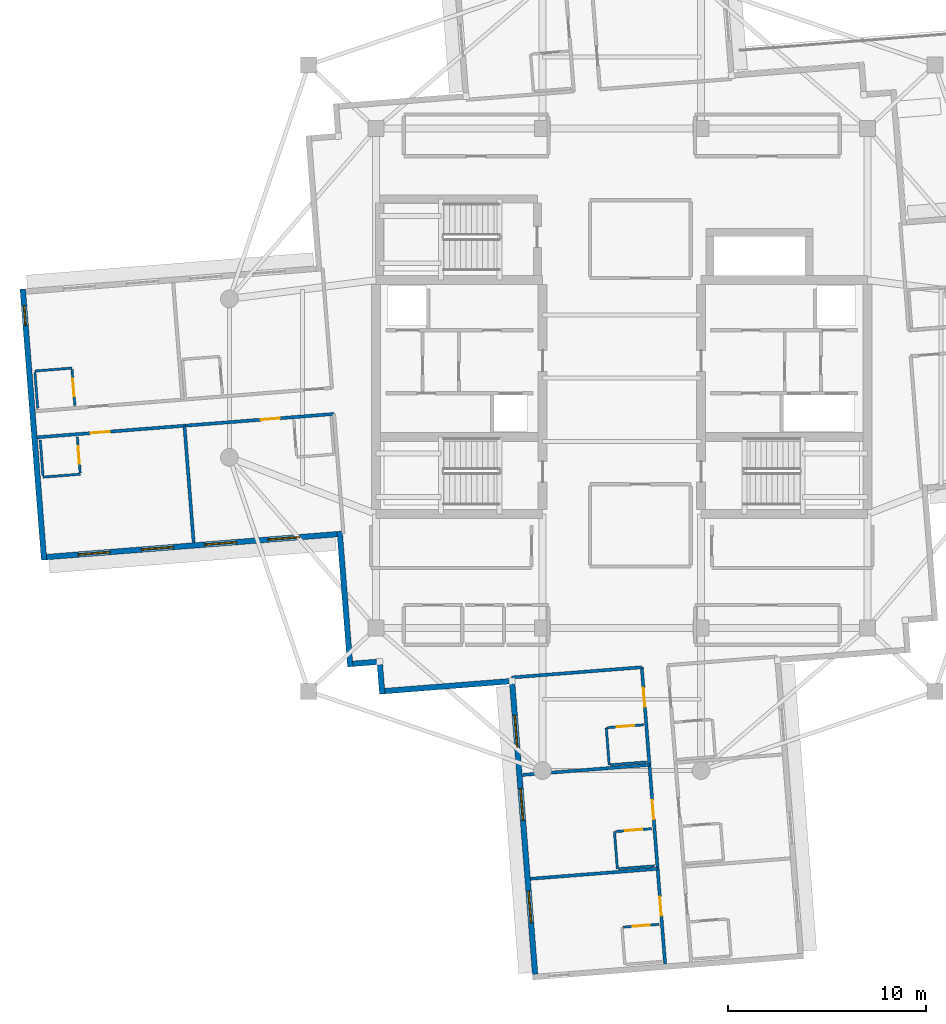
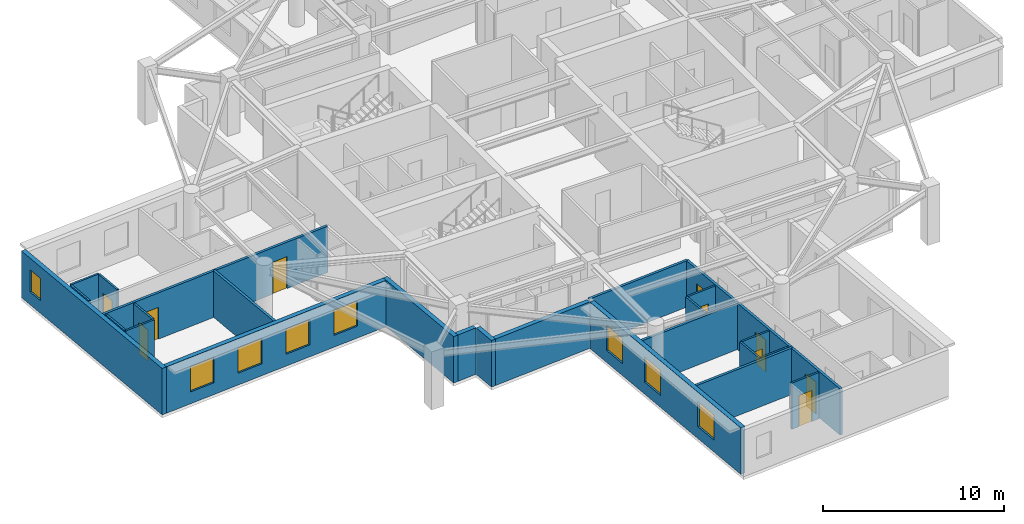
# One storey, part 3 of 13: 26 walls, 10 doors, 8 windows, 18 openings.
"""IFC4 building model written with IfcOpenShell, lengths in metres."""

from ifc_helpers import new_model, si_unit, direction, frame, frame_2d, origin, place, context, subcontext, project, spatial, rectangle, extrude, material, layer, layer_set, type_object, element, fill, save


model = new_model("IFC4")

# Units and contexts
model_context = context("Model", 3, precision=1e-05, world=origin(), true_north=direction((0.0, 1.0)))
body_context = subcontext(model_context, "Body", "Model", "MODEL_VIEW")
ifc_project = project(units=[si_unit("LENGTHUNIT", "METRE"), si_unit("AREAUNIT", "SQUARE_METRE"), si_unit("VOLUMEUNIT", "CUBIC_METRE"), si_unit("PLANEANGLEUNIT", "RADIAN"), si_unit("MASSUNIT", "GRAM", prefix="KILO")], contexts=[model_context])

# Site, building, storey
site_placement = place(None, origin())
site = spatial("IfcSite", under=ifc_project, at=site_placement, CompositionType="ELEMENT")
building_placement = place(site_placement, origin())
building = spatial("IfcBuilding", under=site, at=building_placement, Name="Qingluan Cross Belvedere", CompositionType="ELEMENT")
storey_placement = place(building_placement, frame((0.0, 0.0, 285.0)))
storey = spatial("IfcBuildingStorey", under=building, at=storey_placement, Name="L71", CompositionType="ELEMENT", Elevation=285.0)

# Wall, openings, doors
ifc_material_1 = material(Name="Gypsum plasterboard on steel stud acoustic partition", Category="steel")
ifc_layer_1 = layer(ifc_material_1, 0.159912109375, Name="CorridorPartition_160")
ifc_layer_set_1 = layer_set([ifc_layer_1], Name="Gypsum plasterboard on steel stud acoustic partition")
wall_type_1 = type_object("IfcWallType", Name="CorridorPartition_160", PredefinedType="PARTITIONING", material=ifc_layer_set_1)
wall_1_placement = place(storey_placement, frame((-14.523193359375, -1.804931640625, 0.0), z_axis=(0.0, 0.0, 1.0), x_axis=(-0.996916589072, -0.07846855697, 0.0)))
wall_1 = element("IfcWall", 1, at=wall_1_placement, inside=storey, type_object=wall_type_1, Name="Partition L71:W:c1", PredefinedType="PARTITIONING", context=body_context, shape_type="SweptSolid", body=[
    extrude(rectangle(XDim=15.01220703125, YDim=0.159912109375, at=frame_2d((7.506103515625, 0.0))), origin(), (0.0, 0.0, 1.0), 3.1201171875),
])
opening_1_placement = place(wall_1_placement, frame((2.737060546875, 0.0, 0.0)))
opening_1 = element("IfcOpeningElement", 2, at=opening_1_placement, cuts=wall_1, Name="Opening GD-10", PredefinedType="OPENING", context=body_context, shape_type="SweptSolid", body=[
    extrude(rectangle(XDim=0.9599609375, YDim=2.14990234375, at=frame_2d((0.47998046875, 1.074951171875))), frame((0.0, 0.08984375, 0.0), z_axis=(0.0, -1.0, 0.0), x_axis=(1.0, 0.0, 0.0)), (0.0, 0.0, 1.0), 0.179931640625),
])
opening_2_placement = place(wall_1_placement, frame((11.35302734375, 0.0, 0.0)))
opening_2 = element("IfcOpeningElement", 3, at=opening_2_placement, cuts=wall_1, Name="Opening GD-10", PredefinedType="OPENING", context=body_context, shape_type="SweptSolid", body=[
    extrude(rectangle(XDim=0.9599609375, YDim=2.14990234375, at=frame_2d((0.47998046875, 1.074951171875))), frame((0.0, 0.08984375, 0.0), z_axis=(0.0, -1.0, 0.0), x_axis=(1.0, 0.0, 0.0)), (0.0, 0.0, 1.0), 0.179931640625),
])
ifc_material_2 = material(Name="Timber oak fire-rated acoustic guestroom door", Category="wood")
door_type_1 = type_object("IfcDoorType", Name="GuestEntryDoor_FD60", OperationType="NOTDEFINED", PredefinedType="DOOR", material=ifc_material_2)
door_1_placement = place(opening_1_placement, origin())
door_1 = element("IfcDoor", 4, at=door_1_placement, inside=storey, type_object=door_type_1, Name="Guest entry fire door 7107", OperationType="SINGLE_SWING_RIGHT", OverallHeight=2.14990234375, OverallWidth=0.9599609375, PredefinedType="DOOR", context=body_context, shape_type="SweptSolid", body=[
    extrude(rectangle(XDim=0.9599609375, YDim=2.14990234375, at=frame_2d((0.47998046875, 1.074951171875))), frame((0.0, 0.02490234375, 0.0), z_axis=(0.0, -1.0, 0.0), x_axis=(1.0, 0.0, 0.0)), (0.0, 0.0, 1.0), 0.050048828125),
])
fill(opening_1, door_1)
door_2_placement = place(opening_2_placement, origin())
door_2 = element("IfcDoor", 5, at=door_2_placement, inside=storey, type_object=door_type_1, Name="Guest entry fire door 7108", OperationType="SINGLE_SWING_RIGHT", OverallHeight=2.14990234375, OverallWidth=0.9599609375, PredefinedType="DOOR", context=body_context, shape_type="SweptSolid", body=[
    extrude(rectangle(XDim=0.9599609375, YDim=2.14990234375, at=frame_2d((0.47998046875, 1.074951171875))), frame((0.0, 0.02490234375, 0.0), z_axis=(0.0, -1.0, 0.0), x_axis=(1.0, 0.0, 0.0)), (0.0, 0.0, 1.0), 0.050048828125),
])
fill(opening_2, door_2)

# Wall
wall_2_placement = place(storey_placement, frame((-22.06787109375, -2.398681640625, 0.0), z_axis=(0.0, 0.0, 1.0), x_axis=(0.078461644215, -0.99691713316, 0.0)))
element("IfcWall", 6, at=wall_2_placement, inside=storey, type_object=wall_type_1, Name="Partition L71:W:d1_0", PredefinedType="PARTITIONING", context=body_context, shape_type="SweptSolid", body=[
    extrude(rectangle(XDim=5.912109375, YDim=0.159912109375, at=frame_2d((2.9560546875, 0.0))), origin(), (0.0, 0.0, 1.0), 3.1201171875),
])

# Wall, openings, doors
wall_3_placement = place(storey_placement, frame((1.007568359375, -14.5859375, 0.0), z_axis=(0.0, 0.0, 1.0), x_axis=(0.078453666116, -0.996917761038, 0.0)))
wall_3 = element("IfcWall", 7, at=wall_3_placement, inside=storey, type_object=wall_type_1, Name="Partition L71:S:c1", PredefinedType="PARTITIONING", context=body_context, shape_type="SweptSolid", body=[
    extrude(rectangle(XDim=15.011962890625, YDim=0.159912109375, at=frame_2d((7.505859375, 0.0))), origin(), (0.0, 0.0, 1.0), 3.1201171875),
])
opening_3_placement = place(wall_3_placement, frame((1.0458984375, 0.0, 0.0)))
opening_3 = element("IfcOpeningElement", 8, at=opening_3_placement, cuts=wall_3, Name="Opening GD-10", PredefinedType="OPENING", context=body_context, shape_type="SweptSolid", body=[
    extrude(rectangle(XDim=0.9599609375, YDim=2.14990234375, at=frame_2d((0.47998046875, 1.074951171875))), frame((0.0, 0.08984375, 0.0), z_axis=(0.0, -1.0, 0.0), x_axis=(1.0, 0.0, 0.0)), (0.0, 0.0, 1.0), 0.179931640625),
])
opening_4_placement = place(wall_3_placement, frame((6.73388671875, 0.0, 0.0)))
opening_4 = element("IfcOpeningElement", 9, at=opening_4_placement, cuts=wall_3, Name="Opening GD-10", PredefinedType="OPENING", context=body_context, shape_type="SweptSolid", body=[
    extrude(rectangle(XDim=0.9599609375, YDim=2.14990234375, at=frame_2d((0.47998046875, 1.074951171875))), frame((0.0, 0.08984375, 0.0), z_axis=(0.0, -1.0, 0.0), x_axis=(1.0, 0.0, 0.0)), (0.0, 0.0, 1.0), 0.179931640625),
])
opening_5_placement = place(wall_3_placement, frame((11.615966796875, 0.0, 0.0)))
opening_5 = element("IfcOpeningElement", 10, at=opening_5_placement, cuts=wall_3, Name="Opening GD-10", PredefinedType="OPENING", context=body_context, shape_type="SweptSolid", body=[
    extrude(rectangle(XDim=0.9599609375, YDim=2.14990234375, at=frame_2d((0.47998046875, 1.074951171875))), frame((0.0, 0.08984375, 0.0), z_axis=(0.0, -1.0, 0.0), x_axis=(1.0, 0.0, 0.0)), (0.0, 0.0, 1.0), 0.179931640625),
])
door_3_placement = place(opening_3_placement, origin())
door_3 = element("IfcDoor", 11, at=door_3_placement, inside=storey, type_object=door_type_1, Name="Guest entry fire door 7116", OperationType="SINGLE_SWING_RIGHT", OverallHeight=2.14990234375, OverallWidth=0.9599609375, PredefinedType="DOOR", context=body_context, shape_type="SweptSolid", body=[
    extrude(rectangle(XDim=0.9599609375, YDim=2.14990234375, at=frame_2d((0.47998046875, 1.074951171875))), frame((0.0, 0.02490234375, 0.0), z_axis=(0.0, -1.0, 0.0), x_axis=(1.0, 0.0, 0.0)), (0.0, 0.0, 1.0), 0.050048828125),
])
fill(opening_3, door_3)
door_4_placement = place(opening_4_placement, origin())
door_4 = element("IfcDoor", 12, at=door_4_placement, inside=storey, type_object=door_type_1, Name="Guest entry fire door 7117", OperationType="SINGLE_SWING_RIGHT", OverallHeight=2.14990234375, OverallWidth=0.9599609375, PredefinedType="DOOR", context=body_context, shape_type="SweptSolid", body=[
    extrude(rectangle(XDim=0.9599609375, YDim=2.14990234375, at=frame_2d((0.47998046875, 1.074951171875))), frame((0.0, 0.02490234375, 0.0), z_axis=(0.0, -1.0, 0.0), x_axis=(1.0, 0.0, 0.0)), (0.0, 0.0, 1.0), 0.050048828125),
])
fill(opening_4, door_4)
door_5_placement = place(opening_5_placement, origin())
door_5 = element("IfcDoor", 13, at=door_5_placement, inside=storey, type_object=door_type_1, Name="Guest entry fire door 7118", OperationType="SINGLE_SWING_RIGHT", OverallHeight=2.14990234375, OverallWidth=0.9599609375, PredefinedType="DOOR", context=body_context, shape_type="SweptSolid", body=[
    extrude(rectangle(XDim=0.9599609375, YDim=2.14990234375, at=frame_2d((0.47998046875, 1.074951171875))), frame((0.0, 0.02490234375, 0.0), z_axis=(0.0, -1.0, 0.0), x_axis=(1.0, 0.0, 0.0)), (0.0, 0.0, 1.0), 0.050048828125),
])
fill(opening_5, door_5)

# Walls
wall_4_placement = place(storey_placement, frame((1.007568359375, -14.5859375, 0.0), z_axis=(0.0, 0.0, 1.0), x_axis=(-0.996916277751, -0.078472512094, 0.0)))
element("IfcWall", 14, at=wall_4_placement, inside=storey, type_object=wall_type_1, Name="Partition L71:S:s1", PredefinedType="PARTITIONING", context=body_context, shape_type="SweptSolid", body=[
    extrude(rectangle(XDim=6.580078125, YDim=0.159912109375, at=frame_2d((3.2900390625, 0.0))), origin(), (0.0, 0.0, 1.0), 3.1201171875),
])
wall_5_placement = place(storey_placement, frame((1.395263671875, -19.5126953125, 0.0), z_axis=(0.0, 0.0, 1.0), x_axis=(-0.996917397945, -0.078458279834, 0.0)))
element("IfcWall", 15, at=wall_5_placement, inside=storey, type_object=wall_type_1, Name="Partition L71:S:d1_0", PredefinedType="PARTITIONING", context=body_context, shape_type="SweptSolid", body=[
    extrude(rectangle(XDim=6.431884765625, YDim=0.159912109375, at=frame_2d((3.2158203125, 0.0))), origin(), (0.0, 0.0, 1.0), 3.1201171875),
])
wall_6_placement = place(storey_placement, frame((1.807861328125, -24.75439453125, 0.0), z_axis=(0.0, 0.0, 1.0), x_axis=(-0.996917631587, -0.078455311041, 0.0)))
element("IfcWall", 16, at=wall_6_placement, inside=storey, type_object=wall_type_1, Name="Partition L71:S:d1_1", PredefinedType="PARTITIONING", context=body_context, shape_type="SweptSolid", body=[
    extrude(rectangle(XDim=6.43212890625, YDim=0.159912109375, at=frame_2d((3.216064453125, 0.0))), origin(), (0.0, 0.0, 1.0), 3.1201171875),
])

# Wall, opening, door
ifc_material_3 = material(Name="Moisture-resistant gypsum board lining")
ifc_layer_2 = layer(ifc_material_3, 0.1201171875, Name="EnsuiteWetPartition_120")
ifc_layer_set_2 = layer_set([ifc_layer_2], Name="Moisture-resistant gypsum board lining")
wall_type_2 = type_object("IfcWallType", Name="EnsuiteWetPartition_120", PredefinedType="PARTITIONING", material=ifc_layer_set_2)
wall_7_placement = place(storey_placement, frame((-27.59765625, -1.369384765625, 0.0), z_axis=(0.0, 0.0, 1.0), x_axis=(-0.078481444107, 0.996915574626, 0.0)))
wall_7 = element("IfcWall", 17, at=wall_7_placement, inside=storey, type_object=wall_type_2, Name="Partition L71:W:bs0_1", PredefinedType="PARTITIONING", context=body_context, shape_type="SweptSolid", body=[
    extrude(rectangle(XDim=1.81982421875, YDim=0.1201171875, at=frame_2d((0.909912109375, 0.0))), origin(), (0.0, 0.0, 1.0), 3.1201171875),
])
opening_6_placement = place(wall_7_placement, frame((0.469970703125, 0.0, 0.0)))
opening_6 = element("IfcOpeningElement", 18, at=opening_6_placement, cuts=wall_7, Name="Opening BD-09", PredefinedType="OPENING", context=body_context, shape_type="SweptSolid", body=[
    extrude(rectangle(XDim=0.8798828125, YDim=2.10009765625, at=frame_2d((0.43994140625, 1.050048828125))), frame((0.0, 0.070068359375, 0.0), z_axis=(0.0, -1.0, 0.0), x_axis=(1.0, 0.0, 0.0)), (0.0, 0.0, 1.0), 0.14013671875),
])
ifc_material_4 = material(Name="Moisture-sealed timber en-suite door", Category="wood")
door_type_2 = type_object("IfcDoorType", Name="BathroomDoor_880", OperationType="NOTDEFINED", PredefinedType="DOOR", material=ifc_material_4)
door_6_placement = place(opening_6_placement, origin())
door_6 = element("IfcDoor", 19, at=door_6_placement, inside=storey, type_object=door_type_2, Name="Bathroom door 7106", OperationType="SINGLE_SWING_LEFT", OverallHeight=2.10009765625, OverallWidth=0.8798828125, PredefinedType="DOOR", context=body_context, shape_type="SweptSolid", body=[
    extrude(rectangle(XDim=0.8798828125, YDim=2.10009765625, at=frame_2d((0.43994140625, 1.050048828125))), frame((0.0, 0.02490234375, 0.0), z_axis=(0.0, -1.0, 0.0), x_axis=(1.0, 0.0, 0.0)), (0.0, 0.0, 1.0), 0.050048828125),
])
fill(opening_6, door_6)

# Walls
wall_8_placement = place(storey_placement, frame((-29.4716796875, -1.51708984375, 0.0), z_axis=(0.0, 0.0, 1.0), x_axis=(-0.0784709492, 0.996916400774, 0.0)))
element("IfcWall", 20, at=wall_8_placement, inside=storey, type_object=wall_type_2, Name="Partition L71:W:bw0_1", PredefinedType="PARTITIONING", context=body_context, shape_type="SweptSolid", body=[
    extrude(rectangle(XDim=1.820068359375, YDim=0.1201171875, at=frame_2d((0.91015625, 0.0))), origin(), (0.0, 0.0, 1.0), 3.1201171875),
])
wall_9_placement = place(storey_placement, frame((-27.74560546875, 0.509765625, 0.0), z_axis=(0.0, 0.0, 1.0), x_axis=(-0.99691849475, -0.078444342213, 0.0)))
element("IfcWall", 21, at=wall_9_placement, inside=storey, type_object=wall_type_2, Name="Partition L71:W:bn0_1", PredefinedType="PARTITIONING", context=body_context, shape_type="SweptSolid", body=[
    extrude(rectangle(XDim=1.8798828125, YDim=0.1201171875, at=frame_2d((0.93994140625, 0.0))), origin(), (0.0, 0.0, 1.0), 3.1201171875),
])

# Wall, opening, door
wall_10_placement = place(storey_placement, frame((-27.329345703125, -4.779052734375, 0.0), z_axis=(0.0, 0.0, 1.0), x_axis=(-0.0784709492, 0.996916400774, 0.0)))
wall_10 = element("IfcWall", 22, at=wall_10_placement, inside=storey, type_object=wall_type_2, Name="Partition L71:W:bs1_1", PredefinedType="PARTITIONING", context=body_context, shape_type="SweptSolid", body=[
    extrude(rectangle(XDim=1.820068359375, YDim=0.1201171875, at=frame_2d((0.91015625, 0.0))), origin(), (0.0, 0.0, 1.0), 3.1201171875),
])
opening_7_placement = place(wall_10_placement, frame((0.469970703125, 0.0, 0.0)))
opening_7 = element("IfcOpeningElement", 23, at=opening_7_placement, cuts=wall_10, Name="Opening BD-09", PredefinedType="OPENING", context=body_context, shape_type="SweptSolid", body=[
    extrude(rectangle(XDim=0.8798828125, YDim=2.10009765625, at=frame_2d((0.43994140625, 1.050048828125))), frame((0.0, 0.070068359375, 0.0), z_axis=(0.0, -1.0, 0.0), x_axis=(1.0, 0.0, 0.0)), (0.0, 0.0, 1.0), 0.14013671875),
])
door_7_placement = place(opening_7_placement, origin())
door_7 = element("IfcDoor", 24, at=door_7_placement, inside=storey, type_object=door_type_2, Name="Bathroom door 7108", OperationType="SINGLE_SWING_LEFT", OverallHeight=2.10009765625, OverallWidth=0.8798828125, PredefinedType="DOOR", context=body_context, shape_type="SweptSolid", body=[
    extrude(rectangle(XDim=0.8798828125, YDim=2.10009765625, at=frame_2d((0.43994140625, 1.050048828125))), frame((0.0, 0.02490234375, 0.0), z_axis=(0.0, -1.0, 0.0), x_axis=(1.0, 0.0, 0.0)), (0.0, 0.0, 1.0), 0.050048828125),
])
fill(opening_7, door_7)

# Walls
wall_11_placement = place(storey_placement, frame((-29.20361328125, -4.926513671875, 0.0), z_axis=(0.0, 0.0, 1.0), x_axis=(-0.078337634704, 0.996926885478, 0.0)))
element("IfcWall", 25, at=wall_11_placement, inside=storey, type_object=wall_type_2, Name="Partition L71:W:bw1_1", PredefinedType="PARTITIONING", context=body_context, shape_type="SweptSolid", body=[
    extrude(rectangle(XDim=1.820068359375, YDim=0.1201171875, at=frame_2d((0.91015625, 0.0))), origin(), (0.0, 0.0, 1.0), 3.1201171875),
])
wall_12_placement = place(storey_placement, frame((-27.32421875, -4.84375, 0.0), z_axis=(0.0, 0.0, 1.0), x_axis=(-0.996919293781, -0.07843418698, 0.0)))
element("IfcWall", 26, at=wall_12_placement, inside=storey, type_object=wall_type_2, Name="Partition L71:W:bc1_1", PredefinedType="PARTITIONING", context=body_context, shape_type="SweptSolid", body=[
    extrude(rectangle(XDim=1.880126953125, YDim=0.1201171875, at=frame_2d((0.93994140625, 0.0))), origin(), (0.0, 0.0, 1.0), 3.1201171875),
])

# Wall, opening, door
wall_13_placement = place(storey_placement, frame((-0.71875, -17.6328125, 0.0), z_axis=(0.0, 0.0, 1.0), x_axis=(0.996916400774, 0.0784709492, 0.0)))
wall_13 = element("IfcWall", 27, at=wall_13_placement, inside=storey, type_object=wall_type_2, Name="Partition L71:S:bs1_0", PredefinedType="PARTITIONING", context=body_context, shape_type="SweptSolid", body=[
    extrude(rectangle(XDim=1.820068359375, YDim=0.1201171875, at=frame_2d((0.91015625, 0.0))), origin(), (0.0, 0.0, 1.0), 3.1201171875),
])
opening_8_placement = place(wall_13_placement, frame((0.469970703125, 0.0, 0.0)))
opening_8 = element("IfcOpeningElement", 28, at=opening_8_placement, cuts=wall_13, Name="Opening BD-09", PredefinedType="OPENING", context=body_context, shape_type="SweptSolid", body=[
    extrude(rectangle(XDim=0.8798828125, YDim=2.10009765625, at=frame_2d((0.43994140625, 1.050048828125))), frame((0.0, 0.070068359375, 0.0), z_axis=(0.0, -1.0, 0.0), x_axis=(1.0, 0.0, 0.0)), (0.0, 0.0, 1.0), 0.14013671875),
])
door_8_placement = place(opening_8_placement, origin())
door_8 = element("IfcDoor", 29, at=door_8_placement, inside=storey, type_object=door_type_2, Name="Bathroom door 7116", OperationType="SINGLE_SWING_LEFT", OverallHeight=2.10009765625, OverallWidth=0.8798828125, PredefinedType="DOOR", context=body_context, shape_type="SweptSolid", body=[
    extrude(rectangle(XDim=0.8798828125, YDim=2.10009765625, at=frame_2d((0.43994140625, 1.050048828125))), frame((0.0, 0.02490234375, 0.0), z_axis=(0.0, -1.0, 0.0), x_axis=(1.0, 0.0, 0.0)), (0.0, 0.0, 1.0), 0.050048828125),
])
fill(opening_8, door_8)

# Walls
wall_14_placement = place(storey_placement, frame((-0.5712890625, -19.507080078125, 0.0), z_axis=(0.0, 0.0, 1.0), x_axis=(0.996916400774, 0.0784709492, 0.0)))
element("IfcWall", 30, at=wall_14_placement, inside=storey, type_object=wall_type_2, Name="Partition L71:S:bw1_0", PredefinedType="PARTITIONING", context=body_context, shape_type="SweptSolid", body=[
    extrude(rectangle(XDim=1.820068359375, YDim=0.1201171875, at=frame_2d((0.91015625, 0.0))), origin(), (0.0, 0.0, 1.0), 3.1201171875),
])
wall_15_placement = place(storey_placement, frame((-0.78369140625, -17.6376953125, 0.0), z_axis=(0.0, 0.0, 1.0), x_axis=(0.078553074946, -0.996909932951, 0.0)))
element("IfcWall", 31, at=wall_15_placement, inside=storey, type_object=wall_type_2, Name="Partition L71:S:bc1_0", PredefinedType="PARTITIONING", context=body_context, shape_type="SweptSolid", body=[
    extrude(rectangle(XDim=1.88037109375, YDim=0.1201171875, at=frame_2d((0.940185546875, 0.0))), origin(), (0.0, 0.0, 1.0), 3.1201171875),
])

# Wall, opening, door
wall_16_placement = place(storey_placement, frame((-0.30615234375, -22.87451171875, 0.0), z_axis=(0.0, 0.0, 1.0), x_axis=(0.996916400774, 0.0784709492, 0.0)))
wall_16 = element("IfcWall", 32, at=wall_16_placement, inside=storey, type_object=wall_type_2, Name="Partition L71:S:bs1_1", PredefinedType="PARTITIONING", context=body_context, shape_type="SweptSolid", body=[
    extrude(rectangle(XDim=1.820068359375, YDim=0.1201171875, at=frame_2d((0.91015625, 0.0))), origin(), (0.0, 0.0, 1.0), 3.1201171875),
])
opening_9_placement = place(wall_16_placement, frame((0.469970703125, 0.0, 0.0)))
opening_9 = element("IfcOpeningElement", 33, at=opening_9_placement, cuts=wall_16, Name="Opening BD-09", PredefinedType="OPENING", context=body_context, shape_type="SweptSolid", body=[
    extrude(rectangle(XDim=0.8798828125, YDim=2.10009765625, at=frame_2d((0.43994140625, 1.050048828125))), frame((0.0, 0.070068359375, 0.0), z_axis=(0.0, -1.0, 0.0), x_axis=(1.0, 0.0, 0.0)), (0.0, 0.0, 1.0), 0.14013671875),
])
door_9_placement = place(opening_9_placement, origin())
door_9 = element("IfcDoor", 34, at=door_9_placement, inside=storey, type_object=door_type_2, Name="Bathroom door 7117", OperationType="SINGLE_SWING_LEFT", OverallHeight=2.10009765625, OverallWidth=0.8798828125, PredefinedType="DOOR", context=body_context, shape_type="SweptSolid", body=[
    extrude(rectangle(XDim=0.8798828125, YDim=2.10009765625, at=frame_2d((0.43994140625, 1.050048828125))), frame((0.0, 0.02490234375, 0.0), z_axis=(0.0, -1.0, 0.0), x_axis=(1.0, 0.0, 0.0)), (0.0, 0.0, 1.0), 0.050048828125),
])
fill(opening_9, door_9)

# Walls
wall_17_placement = place(storey_placement, frame((-0.15869140625, -24.748779296875, 0.0), z_axis=(0.0, 0.0, 1.0), x_axis=(0.996916400774, 0.0784709492, 0.0)))
element("IfcWall", 35, at=wall_17_placement, inside=storey, type_object=wall_type_2, Name="Partition L71:S:bw1_1", PredefinedType="PARTITIONING", context=body_context, shape_type="SweptSolid", body=[
    extrude(rectangle(XDim=1.820068359375, YDim=0.1201171875, at=frame_2d((0.91015625, 0.0))), origin(), (0.0, 0.0, 1.0), 3.1201171875),
])
wall_18_placement = place(storey_placement, frame((-0.37109375, -22.879638671875, 0.0), z_axis=(0.0, 0.0, 1.0), x_axis=(0.078563244057, -0.996909131608, 0.0)))
element("IfcWall", 36, at=wall_18_placement, inside=storey, type_object=wall_type_2, Name="Partition L71:S:bc1_1", PredefinedType="PARTITIONING", context=body_context, shape_type="SweptSolid", body=[
    extrude(rectangle(XDim=1.880126953125, YDim=0.1201171875, at=frame_2d((0.93994140625, 0.0))), origin(), (0.0, 0.0, 1.0), 3.1201171875),
])

# Wall, opening, door
wall_19_placement = place(storey_placement, frame((0.073486328125, -27.69970703125, 0.0), z_axis=(0.0, 0.0, 1.0), x_axis=(0.996916400774, 0.0784709492, 0.0)))
wall_19 = element("IfcWall", 37, at=wall_19_placement, inside=storey, type_object=wall_type_2, Name="Partition L71:S:bs1_2", PredefinedType="PARTITIONING", context=body_context, shape_type="SweptSolid", body=[
    extrude(rectangle(XDim=1.820068359375, YDim=0.1201171875, at=frame_2d((0.91015625, 0.0))), origin(), (0.0, 0.0, 1.0), 3.1201171875),
])
opening_10_placement = place(wall_19_placement, frame((0.469970703125, 0.0, 0.0)))
opening_10 = element("IfcOpeningElement", 38, at=opening_10_placement, cuts=wall_19, Name="Opening BD-09", PredefinedType="OPENING", context=body_context, shape_type="SweptSolid", body=[
    extrude(rectangle(XDim=0.8798828125, YDim=2.10009765625, at=frame_2d((0.43994140625, 1.050048828125))), frame((0.0, 0.070068359375, 0.0), z_axis=(0.0, -1.0, 0.0), x_axis=(1.0, 0.0, 0.0)), (0.0, 0.0, 1.0), 0.14013671875),
])
door_10_placement = place(opening_10_placement, origin())
door_10 = element("IfcDoor", 39, at=door_10_placement, inside=storey, type_object=door_type_2, Name="Bathroom door 7118", OperationType="SINGLE_SWING_LEFT", OverallHeight=2.10009765625, OverallWidth=0.8798828125, PredefinedType="DOOR", context=body_context, shape_type="SweptSolid", body=[
    extrude(rectangle(XDim=0.8798828125, YDim=2.10009765625, at=frame_2d((0.43994140625, 1.050048828125))), frame((0.0, 0.02490234375, 0.0), z_axis=(0.0, -1.0, 0.0), x_axis=(1.0, 0.0, 0.0)), (0.0, 0.0, 1.0), 0.050048828125),
])
fill(opening_10, door_10)

# Wall, openings, windows
ifc_material_5 = material(Name="Precast concrete C45", Category="concrete")
ifc_layer_3 = layer(ifc_material_5, 0.280029296875, Name="PrecastFacadeWall_280")
ifc_layer_set_3 = layer_set([ifc_layer_3], Name="Precast concrete C45")
wall_type_3 = type_object("IfcWallType", Name="PrecastFacadeWall_280", PredefinedType="STANDARD", material=ifc_layer_set_3)
wall_20_placement = place(storey_placement, frame((-29.021484375, -9.02490234375, 0.0), z_axis=(0.0, 0.0, 1.0), x_axis=(0.996917526837, 0.078456642068, 0.0)))
wall_20 = element("IfcWall", 40, at=wall_20_placement, inside=storey, type_object=wall_type_3, Name="Facade wall L71-WB", PredefinedType="STANDARD", context=body_context, shape_type="SweptSolid", body=[
    extrude(rectangle(XDim=14.7001953125, YDim=0.280029296875, at=frame_2d((7.35009765625, 0.0))), origin(), (0.0, 0.0, 1.0), 3.1298828125),
])
opening_11_placement = place(wall_20_placement, frame((1.60009765625, 0.0, 0.800048828125)))
opening_11 = element("IfcOpeningElement", 41, at=opening_11_placement, cuts=wall_20, Name="Opening W-04", PredefinedType="OPENING", context=body_context, shape_type="SweptSolid", body=[
    extrude(rectangle(XDim=1.60009765625, YDim=1.699951171875, at=frame_2d((0.800048828125, 0.85009765625))), frame((0.0, 0.14990234375, 0.0), z_axis=(0.0, -1.0, 0.0), x_axis=(1.0, 0.0, 0.0)), (0.0, 0.0, 1.0), 0.300048828125),
])
opening_12_placement = place(wall_20_placement, frame((4.800048828125, 0.0, 0.800048828125)))
opening_12 = element("IfcOpeningElement", 42, at=opening_12_placement, cuts=wall_20, Name="Opening W-04", PredefinedType="OPENING", context=body_context, shape_type="SweptSolid", body=[
    extrude(rectangle(XDim=1.60009765625, YDim=1.699951171875, at=frame_2d((0.800048828125, 0.85009765625))), frame((0.0, 0.14990234375, 0.0), z_axis=(0.0, -1.0, 0.0), x_axis=(1.0, 0.0, 0.0)), (0.0, 0.0, 1.0), 0.300048828125),
])
opening_13_placement = place(wall_20_placement, frame((8.0, 0.0, 0.800048828125)))
opening_13 = element("IfcOpeningElement", 43, at=opening_13_placement, cuts=wall_20, Name="Opening W-04", PredefinedType="OPENING", context=body_context, shape_type="SweptSolid", body=[
    extrude(rectangle(XDim=1.60009765625, YDim=1.699951171875, at=frame_2d((0.800048828125, 0.85009765625))), frame((0.0, 0.14990234375, 0.0), z_axis=(0.0, -1.0, 0.0), x_axis=(1.0, 0.0, 0.0)), (0.0, 0.0, 1.0), 0.300048828125),
])
opening_14_placement = place(wall_20_placement, frame((11.199951171875, 0.0, 0.800048828125)))
opening_14 = element("IfcOpeningElement", 44, at=opening_14_placement, cuts=wall_20, Name="Opening W-04", PredefinedType="OPENING", context=body_context, shape_type="SweptSolid", body=[
    extrude(rectangle(XDim=1.60009765625, YDim=1.699951171875, at=frame_2d((0.800048828125, 0.85009765625))), frame((0.0, 0.14990234375, 0.0), z_axis=(0.0, -1.0, 0.0), x_axis=(1.0, 0.0, 0.0)), (0.0, 0.0, 1.0), 0.300048828125),
])
ifc_material_6 = material(Name="Thermally broken triple Low-E glass in aluminium frame", Category="aluminium")
window_type_1 = type_object("IfcWindowType", Name="SuiteCornerWin_1600x1700", PartitioningType="SINGLE_PANEL", PredefinedType="WINDOW", material=ifc_material_6)
window_1_placement = place(opening_11_placement, origin())
window_1 = element("IfcWindow", 45, at=window_1_placement, inside=storey, type_object=window_type_1, Name="Ribbon window L71-WB-1", OverallHeight=1.699951171875, OverallWidth=1.60009765625, PartitioningType="SINGLE_PANEL", PredefinedType="WINDOW", context=body_context, shape_type="SweptSolid", body=[
    extrude(rectangle(XDim=1.60009765625, YDim=1.699951171875, at=frame_2d((0.800048828125, 0.85009765625))), frame((0.0, 0.030029296875, 0.0), z_axis=(0.0, -1.0, 0.0), x_axis=(1.0, 0.0, 0.0)), (0.0, 0.0, 1.0), 0.06005859375),
])
fill(opening_11, window_1)
window_2_placement = place(opening_12_placement, origin())
window_2 = element("IfcWindow", 46, at=window_2_placement, inside=storey, type_object=window_type_1, Name="Ribbon window L71-WB-2", OverallHeight=1.699951171875, OverallWidth=1.60009765625, PartitioningType="SINGLE_PANEL", PredefinedType="WINDOW", context=body_context, shape_type="SweptSolid", body=[
    extrude(rectangle(XDim=1.60009765625, YDim=1.699951171875, at=frame_2d((0.800048828125, 0.85009765625))), frame((0.0, 0.030029296875, 0.0), z_axis=(0.0, -1.0, 0.0), x_axis=(1.0, 0.0, 0.0)), (0.0, 0.0, 1.0), 0.06005859375),
])
fill(opening_12, window_2)
window_3_placement = place(opening_13_placement, origin())
window_3 = element("IfcWindow", 47, at=window_3_placement, inside=storey, type_object=window_type_1, Name="Ribbon window L71-WB-3", OverallHeight=1.699951171875, OverallWidth=1.60009765625, PartitioningType="SINGLE_PANEL", PredefinedType="WINDOW", context=body_context, shape_type="SweptSolid", body=[
    extrude(rectangle(XDim=1.60009765625, YDim=1.699951171875, at=frame_2d((0.800048828125, 0.85009765625))), frame((0.0, 0.030029296875, 0.0), z_axis=(0.0, -1.0, 0.0), x_axis=(1.0, 0.0, 0.0)), (0.0, 0.0, 1.0), 0.06005859375),
])
fill(opening_13, window_3)
window_4_placement = place(opening_14_placement, origin())
window_4 = element("IfcWindow", 48, at=window_4_placement, inside=storey, type_object=window_type_1, Name="Ribbon window L71-WB-4", OverallHeight=1.699951171875, OverallWidth=1.60009765625, PartitioningType="SINGLE_PANEL", PredefinedType="WINDOW", context=body_context, shape_type="SweptSolid", body=[
    extrude(rectangle(XDim=1.60009765625, YDim=1.699951171875, at=frame_2d((0.800048828125, 0.85009765625))), frame((0.0, 0.030029296875, 0.0), z_axis=(0.0, -1.0, 0.0), x_axis=(1.0, 0.0, 0.0)), (0.0, 0.0, 1.0), 0.06005859375),
])
fill(opening_14, window_4)

# Wall, opening, window
wall_21_placement = place(storey_placement, frame((-30.226318359375, 4.502197265625, 0.0), z_axis=(0.0, 0.0, 1.0), x_axis=(0.078457226018, -0.996917480881, 0.0)))
wall_21 = element("IfcWall", 49, at=wall_21_placement, inside=storey, type_object=wall_type_3, Name="Arm tip precast facade wall L71-W", PredefinedType="STANDARD", context=body_context, shape_type="SweptSolid", body=[
    extrude(rectangle(XDim=13.7197265625, YDim=0.280029296875, at=frame_2d((6.85986328125, 0.0))), origin(), (0.0, 0.0, 1.0), 3.1298828125),
])
opening_15_placement = place(wall_21_placement, frame((0.85009765625, 0.0, 0.85009765625)))
opening_15 = element("IfcOpeningElement", 50, at=opening_15_placement, cuts=wall_21, Name="Opening W-03", PredefinedType="OPENING", context=body_context, shape_type="SweptSolid", body=[
    extrude(rectangle(XDim=1.0, YDim=1.5, at=frame_2d((0.5, 0.75))), frame((0.0, 0.14990234375, 0.0), z_axis=(0.0, -1.0, 0.0), x_axis=(1.0, 0.0, 0.0)), (0.0, 0.0, 1.0), 0.300048828125),
])
ifc_material_7 = material(Name="Thermally broken triple Low-E glass in aluminium frame", Category="aluminium")
window_type_2 = type_object("IfcWindowType", Name="TriApexWin_1000x1500", PartitioningType="SINGLE_PANEL", PredefinedType="WINDOW", material=ifc_material_7)
window_5_placement = place(opening_15_placement, origin())
window_5 = element("IfcWindow", 51, at=window_5_placement, inside=storey, type_object=window_type_2, Name="Arm tip triangular window L71-W", OverallHeight=1.5, OverallWidth=1.0, PartitioningType="SINGLE_PANEL", PredefinedType="WINDOW", context=body_context, shape_type="SweptSolid", body=[
    extrude(rectangle(XDim=1.0, YDim=1.5, at=frame_2d((0.5, 0.75))), frame((0.0, 0.030029296875, 0.0), z_axis=(0.0, -1.0, 0.0), x_axis=(1.0, 0.0, 0.0)), (0.0, 0.0, 1.0), 0.06005859375),
])
fill(opening_15, window_5)

# Wall, openings, windows
wall_22_placement = place(storey_placement, frame((-5.527099609375, -15.421142578125, 0.0), z_axis=(0.0, 0.0, 1.0), x_axis=(0.078456642068, -0.996917526837, 0.0)))
wall_22 = element("IfcWall", 52, at=wall_22_placement, inside=storey, type_object=wall_type_3, Name="Facade wall L71-SA", PredefinedType="STANDARD", context=body_context, shape_type="SweptSolid", body=[
    extrude(rectangle(XDim=14.7001953125, YDim=0.280029296875, at=frame_2d((7.35009765625, 0.0))), origin(), (0.0, 0.0, 1.0), 3.1298828125),
])
opening_16_placement = place(wall_22_placement, frame((1.60009765625, 0.0, 0.800048828125)))
opening_16 = element("IfcOpeningElement", 53, at=opening_16_placement, cuts=wall_22, Name="Opening W-04", PredefinedType="OPENING", context=body_context, shape_type="SweptSolid", body=[
    extrude(rectangle(XDim=1.60009765625, YDim=1.699951171875, at=frame_2d((0.800048828125, 0.85009765625))), frame((0.0, 0.14990234375, 0.0), z_axis=(0.0, -1.0, 0.0), x_axis=(1.0, 0.0, 0.0)), (0.0, 0.0, 1.0), 0.300048828125),
])
opening_17_placement = place(wall_22_placement, frame((5.300048828125, 0.0, 0.800048828125)))
opening_17 = element("IfcOpeningElement", 54, at=opening_17_placement, cuts=wall_22, Name="Opening W-04", PredefinedType="OPENING", context=body_context, shape_type="SweptSolid", body=[
    extrude(rectangle(XDim=1.60009765625, YDim=1.699951171875, at=frame_2d((0.800048828125, 0.85009765625))), frame((0.0, 0.14990234375, 0.0), z_axis=(0.0, -1.0, 0.0), x_axis=(1.0, 0.0, 0.0)), (0.0, 0.0, 1.0), 0.300048828125),
])
opening_18_placement = place(wall_22_placement, frame((10.5, 0.0, 0.800048828125)))
opening_18 = element("IfcOpeningElement", 55, at=opening_18_placement, cuts=wall_22, Name="Opening W-04", PredefinedType="OPENING", context=body_context, shape_type="SweptSolid", body=[
    extrude(rectangle(XDim=1.60009765625, YDim=1.699951171875, at=frame_2d((0.800048828125, 0.85009765625))), frame((0.0, 0.14990234375, 0.0), z_axis=(0.0, -1.0, 0.0), x_axis=(1.0, 0.0, 0.0)), (0.0, 0.0, 1.0), 0.300048828125),
])
window_6_placement = place(opening_16_placement, origin())
window_6 = element("IfcWindow", 56, at=window_6_placement, inside=storey, type_object=window_type_1, Name="Ribbon window L71-SA-1", OverallHeight=1.699951171875, OverallWidth=1.60009765625, PartitioningType="SINGLE_PANEL", PredefinedType="WINDOW", context=body_context, shape_type="SweptSolid", body=[
    extrude(rectangle(XDim=1.60009765625, YDim=1.699951171875, at=frame_2d((0.800048828125, 0.85009765625))), frame((0.0, 0.030029296875, 0.0), z_axis=(0.0, -1.0, 0.0), x_axis=(1.0, 0.0, 0.0)), (0.0, 0.0, 1.0), 0.06005859375),
])
fill(opening_16, window_6)
window_7_placement = place(opening_17_placement, origin())
window_7 = element("IfcWindow", 57, at=window_7_placement, inside=storey, type_object=window_type_1, Name="Ribbon window L71-SA-2", OverallHeight=1.699951171875, OverallWidth=1.60009765625, PartitioningType="SINGLE_PANEL", PredefinedType="WINDOW", context=body_context, shape_type="SweptSolid", body=[
    extrude(rectangle(XDim=1.60009765625, YDim=1.699951171875, at=frame_2d((0.800048828125, 0.85009765625))), frame((0.0, 0.030029296875, 0.0), z_axis=(0.0, -1.0, 0.0), x_axis=(1.0, 0.0, 0.0)), (0.0, 0.0, 1.0), 0.06005859375),
])
fill(opening_17, window_7)
window_8_placement = place(opening_18_placement, origin())
window_8 = element("IfcWindow", 58, at=window_8_placement, inside=storey, type_object=window_type_1, Name="Ribbon window L71-SA-3", OverallHeight=1.699951171875, OverallWidth=1.60009765625, PartitioningType="SINGLE_PANEL", PredefinedType="WINDOW", context=body_context, shape_type="SweptSolid", body=[
    extrude(rectangle(XDim=1.60009765625, YDim=1.699951171875, at=frame_2d((0.800048828125, 0.85009765625))), frame((0.0, 0.030029296875, 0.0), z_axis=(0.0, -1.0, 0.0), x_axis=(1.0, 0.0, 0.0)), (0.0, 0.0, 1.0), 0.06005859375),
])
fill(opening_18, window_8)

# Walls
wall_23_placement = place(storey_placement, frame((-14.238037109375, -7.720947265625, 0.0), z_axis=(0.0, 0.0, 1.0), x_axis=(0.078438149236, -0.996918982036, 0.0)))
element("IfcWall", 59, at=wall_23_placement, inside=storey, type_object=wall_type_3, Name="Corner wall L71-SW1", PredefinedType="STANDARD", context=body_context, shape_type="SweptSolid", body=[
    extrude(rectangle(XDim=6.860107421875, YDim=0.280029296875, at=frame_2d((3.43017578125, 0.0))), origin(), (0.0, 0.0, 1.0), 3.1298828125),
])
wall_24_placement = place(storey_placement, frame((-13.5712890625, -14.4091796875, 0.0), z_axis=(0.0, 0.0, 1.0), x_axis=(0.996918772, 0.078440818672, 0.0)))
element("IfcWall", 60, at=wall_24_placement, inside=storey, type_object=wall_type_3, Name="Corner wall L71-SW2", PredefinedType="STANDARD", context=body_context, shape_type="SweptSolid", body=[
    extrude(rectangle(XDim=1.219970703125, YDim=0.280029296875, at=frame_2d((0.60986328125, 0.0))), origin(), (0.0, 0.0, 1.0), 3.1298828125),
])
wall_25_placement = place(storey_placement, frame((-12.20458984375, -14.442138671875, 0.0), z_axis=(0.0, 0.0, 1.0), x_axis=(0.078451338629, -0.9969179442, 0.0)))
element("IfcWall", 61, at=wall_25_placement, inside=storey, type_object=wall_type_3, Name="Corner wall L71-SW3", PredefinedType="STANDARD", context=body_context, shape_type="SweptSolid", body=[
    extrude(rectangle(XDim=1.5, YDim=0.280029296875, at=frame_2d((0.75, 0.0))), origin(), (0.0, 0.0, 1.0), 3.1298828125),
])
wall_26_placement = place(storey_placement, frame((-11.958251953125, -15.786865234375, 0.0), z_axis=(0.0, 0.0, 1.0), x_axis=(0.996916125428, 0.078474447191, 0.0)))
element("IfcWall", 62, at=wall_26_placement, inside=storey, type_object=wall_type_3, Name="Corner wall L71-SW4", PredefinedType="STANDARD", context=body_context, shape_type="SweptSolid", body=[
    extrude(rectangle(XDim=6.300048828125, YDim=0.280029296875, at=frame_2d((3.14990234375, 0.0))), origin(), (0.0, 0.0, 1.0), 3.1298828125),
])

save(model, "model.ifc")
